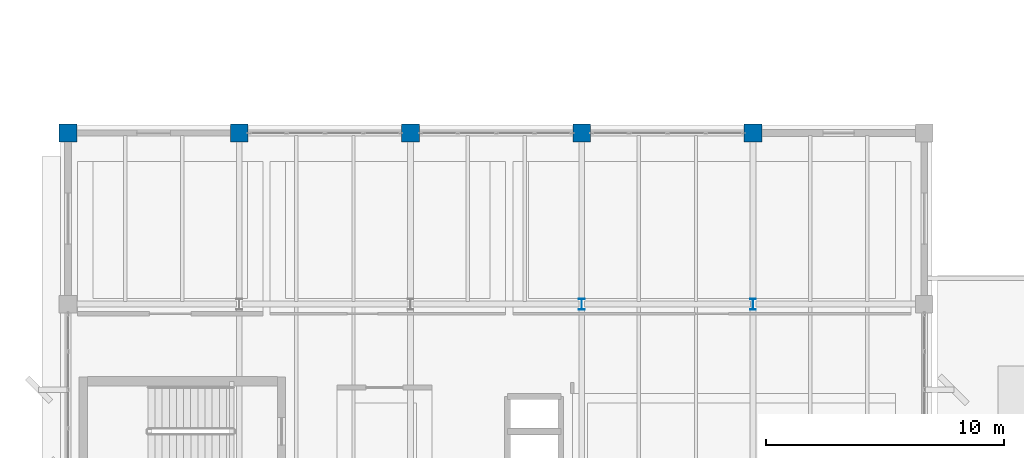
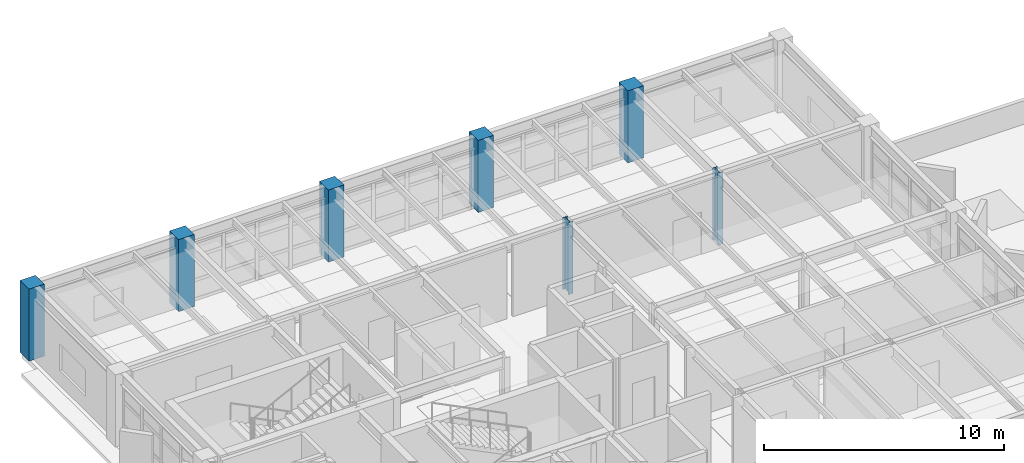
# One storey, part 2 of 32: 7 columns.
"""IFC4 building model written with IfcOpenShell, lengths in metres."""

from ifc_helpers import new_model, si_unit, direction, frame, origin, origin_2d, place, context, subcontext, project, spatial, rectangle, i_section, extrude, material, material_profile, profile_set, type_object, element, save


model = new_model("IFC4")

# Units and contexts
model_context = context("Model", 3, precision=1e-05, world=origin(), true_north=direction((0.0, 1.0)))
body_context = subcontext(model_context, "Body", "Model", "MODEL_VIEW")
ifc_project = project(units=[si_unit("LENGTHUNIT", "METRE"), si_unit("AREAUNIT", "SQUARE_METRE"), si_unit("VOLUMEUNIT", "CUBIC_METRE"), si_unit("PLANEANGLEUNIT", "RADIAN"), si_unit("MASSUNIT", "GRAM", prefix="KILO")], contexts=[model_context])

# Site, building, storey
site_placement = place(None, origin())
site = spatial("IfcSite", under=ifc_project, at=site_placement, CompositionType="ELEMENT")
building_placement = place(site_placement, origin())
building = spatial("IfcBuilding", under=site, at=building_placement, Name="Kandorven Conservatory and Botanical Research Centre", CompositionType="ELEMENT")
storey_placement = place(building_placement, frame((0.0, 0.0, 17.10009765625)))
storey = spatial("IfcBuildingStorey", under=building, at=storey_placement, Name="L04", CompositionType="ELEMENT", Elevation=17.10009765625)

# Columns
ifc_material_1 = material(Name="Steel S355 (IS 2062 E350)", Category="steel")
ifc_material_profile_1 = material_profile(ifc_material_1, i_section(OverallWidth=0.25, OverallDepth=0.449951171875, WebThickness=0.01123046875, FlangeThickness=0.013671875, at=origin_2d()))
ifc_profile_set_1 = profile_set([ifc_material_profile_1], Name="Steel S355 (IS 2062 E350)")
column_type_1 = type_object("IfcColumnType", Name="Col_SC-01", PredefinedType="COLUMN", material=ifc_profile_set_1)
for number, where, z_axis, x_axis, name in (
    (1, (27.60009765625, 27.60009765625, 0.0), (0.0, 0.0, 1.0), (1.0, 0.0, 0.0), "Column SC-01 TWR L04 (4,4)"),
    (2, (34.800048828125, 27.60009765625, 0.0), (0.0, 0.0, 1.0), (1.0, 0.0, 0.0), "Column SC-01 TWR L04 (5,4)"),
):
    element("IfcColumn", number, at=place(storey_placement, frame(where, z_axis=z_axis, x_axis=x_axis)), inside=storey, type_object=column_type_1, Name=name, PredefinedType="COLUMN", context=body_context, shape_type="SweptSolid", body=[
        extrude(i_section(OverallWidth=0.25, OverallDepth=0.449951171875, WebThickness=0.01123046875, FlangeThickness=0.013671875, at=origin_2d()), origin(), (0.0, 0.0, 1.0), 3.659912109375),
    ])
ifc_material_2 = material(Name="Concrete C40/50 (M50)", Category="concrete")
ifc_material_profile_2 = material_profile(ifc_material_2, rectangle(XDim=0.75, YDim=0.75, at=origin_2d()))
ifc_profile_set_2 = profile_set([ifc_material_profile_2], Name="Concrete C40/50 (M50)")
column_type_2 = type_object("IfcColumnType", Name="Col_TC-03", PredefinedType="COLUMN", material=ifc_profile_set_2)
for number, where, z_axis, x_axis, name in (
    (3, (6.0, 34.800048828125, 0.0), (0.0, 0.0, 1.0), (1.0, 0.0, 0.0), "Column TC-03 TWR L04 (1,5)"),
    (4, (13.199951171875, 34.800048828125, 0.0), (0.0, 0.0, 1.0), (1.0, 0.0, 0.0), "Column TC-03 TWR L04 (2,5)"),
    (5, (20.39990234375, 34.800048828125, 0.0), (0.0, 0.0, 1.0), (1.0, 0.0, 0.0), "Column TC-03 TWR L04 (3,5)"),
    (6, (27.60009765625, 34.800048828125, 0.0), (0.0, 0.0, 1.0), (1.0, 0.0, 0.0), "Column TC-03 TWR L04 (4,5)"),
    (7, (34.800048828125, 34.800048828125, 0.0), (0.0, 0.0, 1.0), (1.0, 0.0, 0.0), "Column TC-03 TWR L04 (5,5)"),
):
    element("IfcColumn", number, at=place(storey_placement, frame(where, z_axis=z_axis, x_axis=x_axis)), inside=storey, type_object=column_type_2, Name=name, PredefinedType="COLUMN", context=body_context, shape_type="SweptSolid", body=[
        extrude(rectangle(XDim=0.75, YDim=0.75, at=origin_2d()), origin(), (0.0, 0.0, 1.0), 3.659912109375),
    ])

save(model, "model.ifc")
